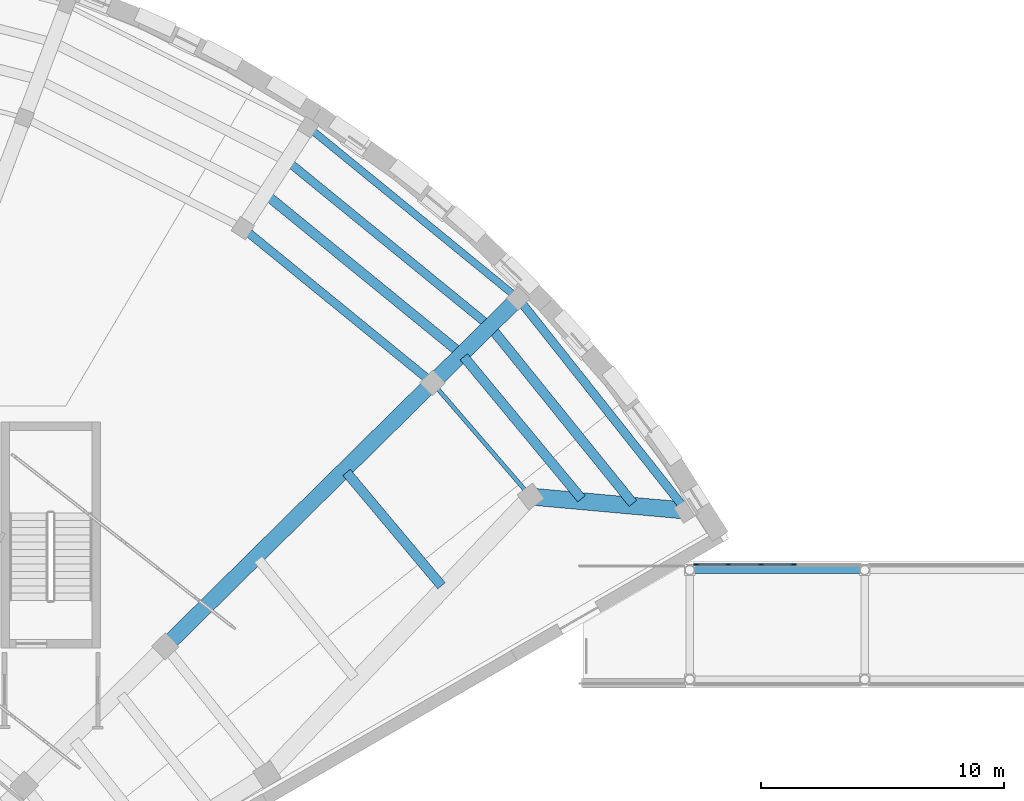
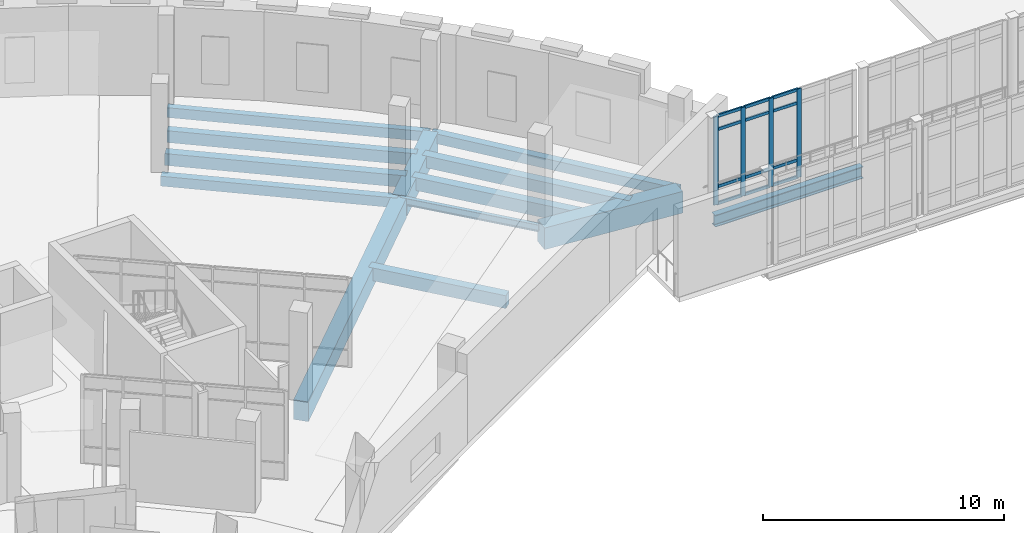
# One storey, part 26 of 75: 16 members, 13 beams, 1 element without a shape of its own.
"""IFC4 building model written with IfcOpenShell, lengths in metres."""

from ifc_helpers import new_model, si_unit, direction, frame, origin, origin_2d, place, context, subcontext, project, spatial, rectangle, i_section, extrude, material, material_profile, profile_set, type_object, element, aggregate, save


model = new_model("IFC4")

# Units and contexts
model_context = context("Model", 3, precision=1e-05, world=origin(), true_north=direction((0.0, 1.0)))
body_context = subcontext(model_context, "Body", "Model", "MODEL_VIEW")
ifc_project = project(units=[si_unit("LENGTHUNIT", "METRE"), si_unit("AREAUNIT", "SQUARE_METRE"), si_unit("VOLUMEUNIT", "CUBIC_METRE"), si_unit("PLANEANGLEUNIT", "RADIAN"), si_unit("MASSUNIT", "GRAM", prefix="KILO")], contexts=[model_context])

# Site, building, storey
site_placement = place(None, origin())
site = spatial("IfcSite", under=ifc_project, at=site_placement, CompositionType="ELEMENT")
building_placement = place(site_placement, origin())
building = spatial("IfcBuilding", under=site, at=building_placement, Name="Soyqirgoq Riverine Aquarium", CompositionType="ELEMENT")
storey_placement = place(building_placement, frame((0.0, 0.0, 10.199951171875)))
storey = spatial("IfcBuildingStorey", under=building, at=storey_placement, Name="L03", CompositionType="ELEMENT", Elevation=10.199951171875)

# Beams
ifc_material_1 = material(Name="Concrete C40/50", Category="concrete")
ifc_material_profile_1 = material_profile(ifc_material_1, rectangle(XDim=0.35009765625, YDim=0.60009765625, at=origin_2d()), Name="RC 350x600")
ifc_profile_set_1 = profile_set([ifc_material_profile_1], Name="Concrete C40/50")
beam_type_1 = type_object("IfcBeamType", Name="Beam_RC_350x600", PredefinedType="JOIST", material=ifc_profile_set_1)
beam_1_placement = place(storey_placement, frame((91.468994140625, 92.172607421875, -0.599853515625), z_axis=(-0.774945538771, 0.632028015153, 0.0), x_axis=(-0.632028015153, -0.774945538771, 0.0)))
element("IfcBeam", 1, at=beam_1_placement, inside=storey, type_object=beam_type_1, Name="V5 L03 Secondary Floor Joist 0893", PredefinedType="JOIST", context=body_context, shape_type="SweptSolid", body=[
    extrude(rectangle(XDim=0.35009765625, YDim=0.60009765625, at=origin_2d()), origin(), (0.0, 0.0, 1.0), 10.5126953125),
])
ifc_material_2 = material(Name="Concrete C40/50", Category="concrete")
ifc_material_profile_2 = material_profile(ifc_material_2, rectangle(XDim=0.39990234375, YDim=0.60009765625, at=origin_2d()), Name="RC 400x600")
ifc_profile_set_2 = profile_set([ifc_material_profile_2], Name="Concrete C40/50")
beam_type_2 = type_object("IfcBeamType", Name="Beam_RC_400x600", PredefinedType="JOIST", material=ifc_profile_set_2)
beam_2_placement = place(storey_placement, frame((97.461181640625, 84.796142578125, -0.599853515625), z_axis=(-0.628173876328, 0.778072992141, 0.0), x_axis=(-0.778072992141, -0.628173876328, 0.0)))
element("IfcBeam", 2, at=beam_2_placement, inside=storey, type_object=beam_type_2, Name="V5 L03 Secondary Floor Joist 0891", PredefinedType="JOIST", context=body_context, shape_type="SweptSolid", body=[
    extrude(rectangle(XDim=0.39990234375, YDim=0.60009765625, at=origin_2d()), origin(), (0.0, 0.0, 1.0), 9.2265625),
])
beam_3_placement = place(storey_placement, frame((90.305908203125, 91.025634765625, -0.599853515625), z_axis=(-0.774940282325, 0.63203446016, 0.0), x_axis=(-0.63203446016, -0.774940282325, 0.0)))
element("IfcBeam", 3, at=beam_3_placement, inside=storey, type_object=beam_type_2, Name="V5 L03 Secondary Floor Joist 0892", PredefinedType="JOIST", context=body_context, shape_type="SweptSolid", body=[
    extrude(rectangle(XDim=0.39990234375, YDim=0.60009765625, at=origin_2d()), origin(), (0.0, 0.0, 1.0), 10.159912109375),
])
ifc_material_3 = material(Name="Concrete C40/50", Category="concrete")
ifc_material_profile_3 = material_profile(ifc_material_3, rectangle(XDim=0.39990234375, YDim=0.64990234375, at=origin_2d()), Name="RC 400x650")
ifc_profile_set_3 = profile_set([ifc_material_profile_3], Name="Concrete C40/50")
beam_type_3 = type_object("IfcBeamType", Name="Beam_RC_400x650", PredefinedType="BEAM", material=ifc_profile_set_3)
beam_4_placement = place(storey_placement, frame((89.584228515625, 81.40380859375, -0.625), z_axis=(-0.642269554069, 0.766478845055, 0.0), x_axis=(-0.766478845055, -0.642269554069, 0.0)))
element("IfcBeam", 4, at=beam_4_placement, inside=storey, type_object=beam_type_3, Name="V5 L03 Secondary Floor Joist 0885", PredefinedType="BEAM", context=body_context, shape_type="SweptSolid", body=[
    extrude(rectangle(XDim=0.39990234375, YDim=0.64990234375, at=origin_2d()), origin(), (0.0, 0.0, 1.0), 6.08544921875),
])
beam_5_placement = place(storey_placement, frame((95.345458984375, 84.98583984375, -0.625), z_axis=(-0.638020589805, 0.770019302995, 0.0), x_axis=(-0.770019302995, -0.638020589805, 0.0)))
element("IfcBeam", 5, at=beam_5_placement, inside=storey, type_object=beam_type_3, Name="V5 L03 Secondary Floor Joist 0890", PredefinedType="BEAM", context=body_context, shape_type="SweptSolid", body=[
    extrude(rectangle(XDim=0.39990234375, YDim=0.64990234375, at=origin_2d()), origin(), (0.0, 0.0, 1.0), 7.5888671875),
])

# Curtain wall, members
ifc_material_4 = material(Name="Laminated solar-control bridge curtain wall", Category="aluminium")
curtain_wall_type = type_object("IfcCurtainWallType", Name="CW_Bridge_Concourse", PredefinedType="NOTDEFINED", material=ifc_material_4)
curtain_wall_placement = place(storey_placement, origin())
curtain_wall = element("IfcCurtainWall", 6, at=curtain_wall_placement, inside=storey, type_object=curtain_wall_type, Name="BR-2 L03 Curtain Wall 144", PredefinedType="NOTDEFINED")
ifc_material_5 = material(Name="Anodised aluminium 6063-T6", Category="aluminium")
ifc_material_profile_4 = material_profile(ifc_material_5, rectangle(XDim=0.080078125, YDim=0.219970703125, at=origin_2d()), Name="ALU-M 80x220")
ifc_profile_set_4 = profile_set([ifc_material_profile_4], Name="Anodised aluminium 6063-T6")
member_type_1 = type_object("IfcMemberType", Name="CWMullion_80x220", PredefinedType="MULLION", material=ifc_profile_set_4)
member_1_placement = place(storey_placement, frame((100.080078125, 82.280029296875, 0.0), z_axis=(0.0, 0.0, 1.0), x_axis=(0.0, 1.0, 0.0)))
member_1 = element("IfcMember", 7, at=member_1_placement, type_object=member_type_1, Name="CW-06 mullion 1", PredefinedType="MULLION", context=body_context, shape_type="SweptSolid", body=[
    extrude(rectangle(XDim=0.080078125, YDim=0.219970703125, at=origin_2d()), origin(), (0.0, 0.0, 1.0), 4.5),
])
member_2_placement = place(storey_placement, frame((101.384033203125, 82.280029296875, 0.0), z_axis=(0.0, 0.0, 1.0), x_axis=(0.0, 1.0, 0.0)))
member_2 = element("IfcMember", 8, at=member_2_placement, type_object=member_type_1, Name="CW-06 mullion 2", PredefinedType="MULLION", context=body_context, shape_type="SweptSolid", body=[
    extrude(rectangle(XDim=0.080078125, YDim=0.219970703125, at=origin_2d()), origin(), (0.0, 0.0, 1.0), 4.5),
])
member_3_placement = place(storey_placement, frame((102.72802734375, 82.280029296875, 0.0), z_axis=(0.0, 0.0, 1.0), x_axis=(0.0, 1.0, 0.0)))
member_3 = element("IfcMember", 9, at=member_3_placement, type_object=member_type_1, Name="CW-06 mullion 3", PredefinedType="MULLION", context=body_context, shape_type="SweptSolid", body=[
    extrude(rectangle(XDim=0.080078125, YDim=0.219970703125, at=origin_2d()), origin(), (0.0, 0.0, 1.0), 4.5),
])
member_4_placement = place(storey_placement, frame((104.072021484375, 82.280029296875, 0.0), z_axis=(0.0, 0.0, 1.0), x_axis=(0.0, 1.0, 0.0)))
member_4 = element("IfcMember", 10, at=member_4_placement, type_object=member_type_1, Name="CW-06 mullion 4", PredefinedType="MULLION", context=body_context, shape_type="SweptSolid", body=[
    extrude(rectangle(XDim=0.080078125, YDim=0.219970703125, at=origin_2d()), origin(), (0.0, 0.0, 1.0), 4.5),
])
ifc_material_6 = material(Name="Anodised aluminium 6063-T6", Category="aluminium")
ifc_material_profile_5 = material_profile(ifc_material_6, rectangle(XDim=0.074951171875, YDim=0.14990234375, at=origin_2d()), Name="ALU-T 75x150")
ifc_profile_set_5 = profile_set([ifc_material_profile_5], Name="Anodised aluminium 6063-T6")
member_type_2 = type_object("IfcMemberType", Name="CWTransom_75x150", PredefinedType="USERDEFINED", material=ifc_profile_set_5)
member_5_placement = place(storey_placement, frame((100.1201171875, 82.280029296875, 0.03759765625), z_axis=(1.0, 0.0, 0.0), x_axis=(0.0, 1.0, 0.0)))
member_5 = element("IfcMember", 11, at=member_5_placement, type_object=member_type_2, Name="CW-06 transom 1.1", ObjectType="TRANSOM", PredefinedType="USERDEFINED", context=body_context, shape_type="SweptSolid", body=[
    extrude(rectangle(XDim=0.074951171875, YDim=0.14990234375, at=origin_2d()), origin(), (0.0, 0.0, 1.0), 1.223876953125),
])
member_6_placement = place(storey_placement, frame((100.1201171875, 82.280029296875, 0.900146484375), z_axis=(1.0, 0.0, 0.0), x_axis=(0.0, 1.0, 0.0)))
member_6 = element("IfcMember", 12, at=member_6_placement, type_object=member_type_2, Name="CW-06 transom 1.2", ObjectType="TRANSOM", PredefinedType="USERDEFINED", context=body_context, shape_type="SweptSolid", body=[
    extrude(rectangle(XDim=0.074951171875, YDim=0.14990234375, at=origin_2d()), origin(), (0.0, 0.0, 1.0), 1.223876953125),
])
member_7_placement = place(storey_placement, frame((100.1201171875, 82.280029296875, 3.800048828125), z_axis=(1.0, 0.0, 0.0), x_axis=(0.0, 1.0, 0.0)))
member_7 = element("IfcMember", 13, at=member_7_placement, type_object=member_type_2, Name="CW-06 transom 1.3", ObjectType="TRANSOM", PredefinedType="USERDEFINED", context=body_context, shape_type="SweptSolid", body=[
    extrude(rectangle(XDim=0.074951171875, YDim=0.14990234375, at=origin_2d()), origin(), (0.0, 0.0, 1.0), 1.223876953125),
])
member_8_placement = place(storey_placement, frame((100.1201171875, 82.280029296875, 4.462646484375), z_axis=(1.0, 0.0, 0.0), x_axis=(0.0, 1.0, 0.0)))
member_8 = element("IfcMember", 14, at=member_8_placement, type_object=member_type_2, Name="CW-06 transom 1.4", ObjectType="TRANSOM", PredefinedType="USERDEFINED", context=body_context, shape_type="SweptSolid", body=[
    extrude(rectangle(XDim=0.074951171875, YDim=0.14990234375, at=origin_2d()), origin(), (0.0, 0.0, 1.0), 1.223876953125),
])
member_9_placement = place(storey_placement, frame((101.424072265625, 82.280029296875, 0.03759765625), z_axis=(1.0, 0.0, 0.0), x_axis=(0.0, 1.0, 0.0)))
member_9 = element("IfcMember", 15, at=member_9_placement, type_object=member_type_2, Name="CW-06 transom 2.1", ObjectType="TRANSOM", PredefinedType="USERDEFINED", context=body_context, shape_type="SweptSolid", body=[
    extrude(rectangle(XDim=0.074951171875, YDim=0.14990234375, at=origin_2d()), origin(), (0.0, 0.0, 1.0), 1.263916015625),
])
member_10_placement = place(storey_placement, frame((101.424072265625, 82.280029296875, 0.900146484375), z_axis=(1.0, 0.0, 0.0), x_axis=(0.0, 1.0, 0.0)))
member_10 = element("IfcMember", 16, at=member_10_placement, type_object=member_type_2, Name="CW-06 transom 2.2", ObjectType="TRANSOM", PredefinedType="USERDEFINED", context=body_context, shape_type="SweptSolid", body=[
    extrude(rectangle(XDim=0.074951171875, YDim=0.14990234375, at=origin_2d()), origin(), (0.0, 0.0, 1.0), 1.263916015625),
])
member_11_placement = place(storey_placement, frame((101.424072265625, 82.280029296875, 3.800048828125), z_axis=(1.0, 0.0, 0.0), x_axis=(0.0, 1.0, 0.0)))
member_11 = element("IfcMember", 17, at=member_11_placement, type_object=member_type_2, Name="CW-06 transom 2.3", ObjectType="TRANSOM", PredefinedType="USERDEFINED", context=body_context, shape_type="SweptSolid", body=[
    extrude(rectangle(XDim=0.074951171875, YDim=0.14990234375, at=origin_2d()), origin(), (0.0, 0.0, 1.0), 1.263916015625),
])
member_12_placement = place(storey_placement, frame((101.424072265625, 82.280029296875, 4.462646484375), z_axis=(1.0, 0.0, 0.0), x_axis=(0.0, 1.0, 0.0)))
member_12 = element("IfcMember", 18, at=member_12_placement, type_object=member_type_2, Name="CW-06 transom 2.4", ObjectType="TRANSOM", PredefinedType="USERDEFINED", context=body_context, shape_type="SweptSolid", body=[
    extrude(rectangle(XDim=0.074951171875, YDim=0.14990234375, at=origin_2d()), origin(), (0.0, 0.0, 1.0), 1.263916015625),
])
member_13_placement = place(storey_placement, frame((102.76806640625, 82.280029296875, 0.03759765625), z_axis=(1.0, 0.0, 0.0), x_axis=(0.0, 1.0, 0.0)))
member_13 = element("IfcMember", 19, at=member_13_placement, type_object=member_type_2, Name="CW-06 transom 3.1", ObjectType="TRANSOM", PredefinedType="USERDEFINED", context=body_context, shape_type="SweptSolid", body=[
    extrude(rectangle(XDim=0.074951171875, YDim=0.14990234375, at=origin_2d()), origin(), (0.0, 0.0, 1.0), 1.263916015625),
])
member_14_placement = place(storey_placement, frame((102.76806640625, 82.280029296875, 0.900146484375), z_axis=(1.0, 0.0, 0.0), x_axis=(0.0, 1.0, 0.0)))
member_14 = element("IfcMember", 20, at=member_14_placement, type_object=member_type_2, Name="CW-06 transom 3.2", ObjectType="TRANSOM", PredefinedType="USERDEFINED", context=body_context, shape_type="SweptSolid", body=[
    extrude(rectangle(XDim=0.074951171875, YDim=0.14990234375, at=origin_2d()), origin(), (0.0, 0.0, 1.0), 1.263916015625),
])
member_15_placement = place(storey_placement, frame((102.76806640625, 82.280029296875, 3.800048828125), z_axis=(1.0, 0.0, 0.0), x_axis=(0.0, 1.0, 0.0)))
member_15 = element("IfcMember", 21, at=member_15_placement, type_object=member_type_2, Name="CW-06 transom 3.3", ObjectType="TRANSOM", PredefinedType="USERDEFINED", context=body_context, shape_type="SweptSolid", body=[
    extrude(rectangle(XDim=0.074951171875, YDim=0.14990234375, at=origin_2d()), origin(), (0.0, 0.0, 1.0), 1.263916015625),
])
member_16_placement = place(storey_placement, frame((102.76806640625, 82.280029296875, 4.462646484375), z_axis=(1.0, 0.0, 0.0), x_axis=(0.0, 1.0, 0.0)))
member_16 = element("IfcMember", 22, at=member_16_placement, type_object=member_type_2, Name="CW-06 transom 3.4", ObjectType="TRANSOM", PredefinedType="USERDEFINED", context=body_context, shape_type="SweptSolid", body=[
    extrude(rectangle(XDim=0.074951171875, YDim=0.14990234375, at=origin_2d()), origin(), (0.0, 0.0, 1.0), 1.263916015625),
])
aggregate(curtain_wall, [member_1, member_2, member_3, member_4, member_5, member_6, member_7, member_8, member_9, member_10, member_11, member_12, member_13, member_14, member_15, member_16])

# Beams
ifc_material_7 = material(Name="Concrete C40/50", Category="concrete")
ifc_material_profile_6 = material_profile(ifc_material_7, rectangle(XDim=0.64990234375, YDim=1.0, at=origin_2d()), Name="RC 650x1000")
ifc_profile_set_6 = profile_set([ifc_material_profile_6], Name="Concrete C40/50")
beam_type_4 = type_object("IfcBeamType", Name="Girder_RC_650x1000", PredefinedType="BEAM", material=ifc_profile_set_6)
beam_6_placement = place(storey_placement, frame((78.250732421875, 78.9423828125, -0.800048828125), z_axis=(0.712035941115, 0.702143018595, 0.0), x_axis=(-0.702143018595, 0.712035941115, 0.0)))
element("IfcBeam", 23, at=beam_6_placement, inside=storey, type_object=beam_type_4, Name="V5 L03 Wedge Radial Girder 0856", PredefinedType="BEAM", context=body_context, shape_type="SweptSolid", body=[
    extrude(rectangle(XDim=0.64990234375, YDim=1.0, at=origin_2d()), origin(), (0.0, 0.0, 1.0), 15.349853515625),
])
beam_7_placement = place(storey_placement, frame((89.251708984375, 89.79052734375, -0.800048828125), z_axis=(0.711997820569, 0.702181674145, 0.0), x_axis=(-0.702181674145, 0.711997820569, 0.0)))
element("IfcBeam", 24, at=beam_7_placement, inside=storey, type_object=beam_type_4, Name="V5 L03 Wedge Radial Girder 0857", PredefinedType="BEAM", context=body_context, shape_type="SweptSolid", body=[
    extrude(rectangle(XDim=0.64990234375, YDim=1.0, at=origin_2d()), origin(), (0.0, 0.0, 1.0), 4.849853515625),
])
ifc_material_8 = material(Name="Concrete C40/50", Category="concrete")
ifc_material_profile_7 = material_profile(ifc_material_8, rectangle(XDim=0.699951171875, YDim=1.10009765625, at=origin_2d()), Name="RC 700x1100")
ifc_profile_set_7 = profile_set([ifc_material_profile_7], Name="Concrete C40/50")
beam_type_5 = type_object("IfcBeamType", Name="Girder_RC_700x1100", PredefinedType="BEAM", material=ifc_profile_set_7)
beam_8_placement = place(storey_placement, frame((93.30615234375, 85.0703125, -0.849853515625), z_axis=(0.99595114055, -0.089896193674, 0.0), x_axis=(0.089896193674, 0.99595114055, 0.0)))
element("IfcBeam", 25, at=beam_8_placement, inside=storey, type_object=beam_type_5, Name="V5 L03 Wedge Radial Girder 0853", PredefinedType="BEAM", context=body_context, shape_type="SweptSolid", body=[
    extrude(rectangle(XDim=0.699951171875, YDim=1.10009765625, at=origin_2d()), origin(), (0.0, 0.0, 1.0), 6.333251953125),
])
ifc_material_9 = material(Name="Concrete C40/50", Category="concrete")
ifc_material_profile_8 = material_profile(ifc_material_9, rectangle(XDim=0.300048828125, YDim=0.5, at=origin_2d()), Name="RC 300x500")
ifc_profile_set_8 = profile_set([ifc_material_profile_8], Name="Concrete C40/50")
beam_type_6 = type_object("IfcBeamType", Name="Spandrel_RC_300x500", PredefinedType="SPANDREL", material=ifc_profile_set_8)
beam_9_placement = place(storey_placement, frame((92.701904296875, 93.2626953125, -0.550048828125), z_axis=(-0.774945071602, 0.63202858796, 0.0), x_axis=(-0.63202858796, -0.774945071602, 0.0)))
element("IfcBeam", 26, at=beam_9_placement, inside=storey, type_object=beam_type_6, Name="V5 L03 Wedge Chord Beam 0899", PredefinedType="SPANDREL", context=body_context, shape_type="SweptSolid", body=[
    extrude(rectangle(XDim=0.300048828125, YDim=0.5, at=origin_2d()), origin(), (0.0, 0.0, 1.0), 11.045654296875),
])
ifc_material_10 = material(Name="Concrete C40/50", Category="concrete")
ifc_material_profile_9 = material_profile(ifc_material_10, rectangle(XDim=0.35009765625, YDim=0.5, at=origin_2d()), Name="RC 350x500")
ifc_profile_set_9 = profile_set([ifc_material_profile_9], Name="Concrete C40/50")
beam_type_7 = type_object("IfcBeamType", Name="Spandrel_RC_350x500", PredefinedType="SPANDREL", material=ifc_profile_set_9)
beam_10_placement = place(storey_placement, frame((89.17724609375, 89.787109375, -0.550048828125), z_axis=(-0.774956174889, 0.632014973716, 0.0), x_axis=(-0.632014973716, -0.774956174889, 0.0)))
element("IfcBeam", 27, at=beam_10_placement, inside=storey, type_object=beam_type_7, Name="V5 L03 Wedge Chord Beam 0887", PredefinedType="SPANDREL", context=body_context, shape_type="SweptSolid", body=[
    extrude(rectangle(XDim=0.35009765625, YDim=0.5, at=origin_2d()), origin(), (0.0, 0.0, 1.0), 9.976318359375),
])
beam_11_placement = place(storey_placement, frame((99.632568359375, 84.53564453125, -0.550048828125), z_axis=(-0.621160278582, 0.78368355113, 0.0), x_axis=(-0.78368355113, -0.621160278582, 0.0)))
element("IfcBeam", 28, at=beam_11_placement, inside=storey, type_object=beam_type_7, Name="V5 L03 Wedge Chord Beam 0898", PredefinedType="SPANDREL", context=body_context, shape_type="SweptSolid", body=[
    extrude(rectangle(XDim=0.35009765625, YDim=0.5, at=origin_2d()), origin(), (0.0, 0.0, 1.0), 11.045654296875),
])
ifc_material_11 = material(Name="Structural steel S355", Category="steel")
ifc_material_profile_10 = material_profile(ifc_material_11, i_section(OverallWidth=0.169921875, OverallDepth=0.360107421875, WebThickness=0.008056640625, FlangeThickness=0.0126953125, FilletRadius=0.01806640625, at=origin_2d()), Name="IPE 360")
ifc_profile_set_10 = profile_set([ifc_material_profile_10], Name="Structural steel S355")
beam_type_8 = type_object("IfcBeamType", Name="Spandrel_Steel_IPE360", PredefinedType="SPANDREL", material=ifc_profile_set_10)
beam_12_placement = place(storey_placement, frame((93.2236328125, 85.112548828125, -0.47998046875), z_axis=(-0.653415046346, 0.756999852846, 0.0), x_axis=(-0.756999852846, -0.653415046346, 0.0)))
element("IfcBeam", 29, at=beam_12_placement, inside=storey, type_object=beam_type_8, Name="V5 L03 Wedge Chord Beam 0886", PredefinedType="SPANDREL", context=body_context, shape_type="SweptSolid", body=[
    extrude(i_section(OverallWidth=0.169921875, OverallDepth=0.360107421875, WebThickness=0.008056640625, FlangeThickness=0.0126953125, FilletRadius=0.01806640625, at=origin_2d()), origin(), (0.0, 0.0, 1.0), 6.083251953125),
])
ifc_material_12 = material(Name="Structural steel S355", Category="steel")
ifc_material_profile_11 = material_profile(ifc_material_12, i_section(OverallWidth=0.300048828125, OverallDepth=0.60009765625, WebThickness=0.015380859375, FlangeThickness=0.030029296875, FilletRadius=0.027099609375, at=origin_2d()), Name="HEB 600")
ifc_profile_set_11 = profile_set([ifc_material_profile_11], Name="Structural steel S355")
beam_type_9 = type_object("IfcBeamType", Name="SteelGirder_HEB600", PredefinedType="BEAM", material=ifc_profile_set_11)
beam_13_placement = place(storey_placement, frame((99.85009765625, 82.050048828125, -0.550048828125), z_axis=(1.0, 0.0, 0.0), x_axis=(0.0, 1.0, 0.0)))
element("IfcBeam", 30, at=beam_13_placement, inside=storey, type_object=beam_type_9, Name="BR-2 L03 Bridge Deck Longitudinal Girder 1456", PredefinedType="BEAM", context=body_context, shape_type="SweptSolid", body=[
    extrude(i_section(OverallWidth=0.300048828125, OverallDepth=0.60009765625, WebThickness=0.015380859375, FlangeThickness=0.030029296875, FilletRadius=0.027099609375, at=origin_2d()), origin(), (0.0, 0.0, 1.0), 7.099853515625),
])

save(model, "model.ifc")
